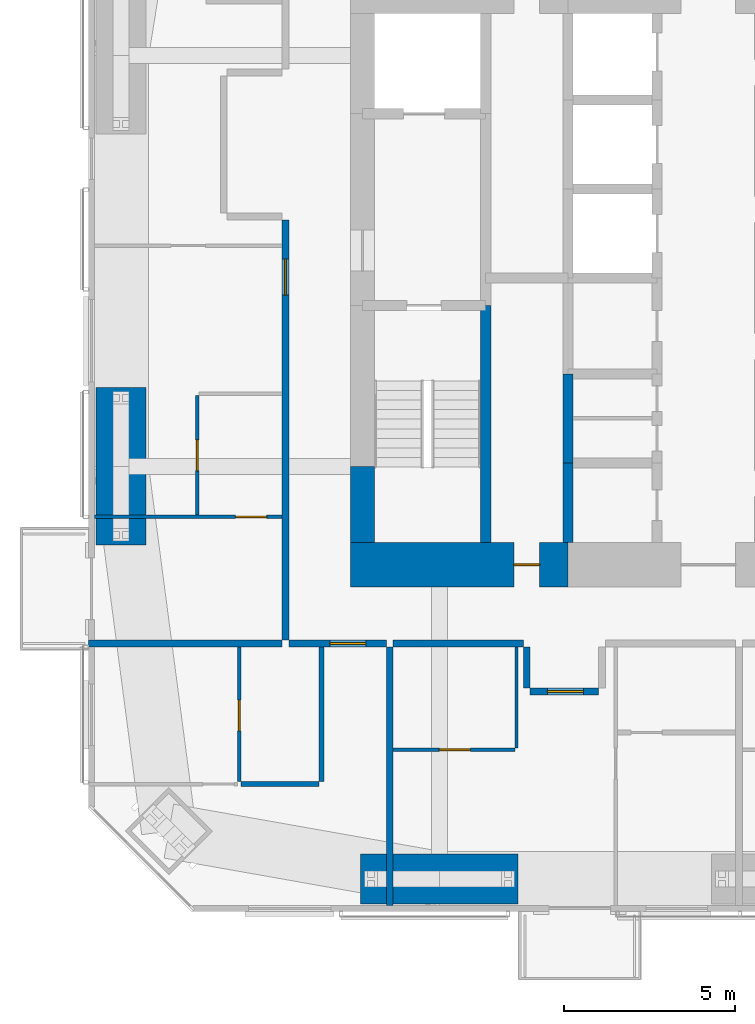
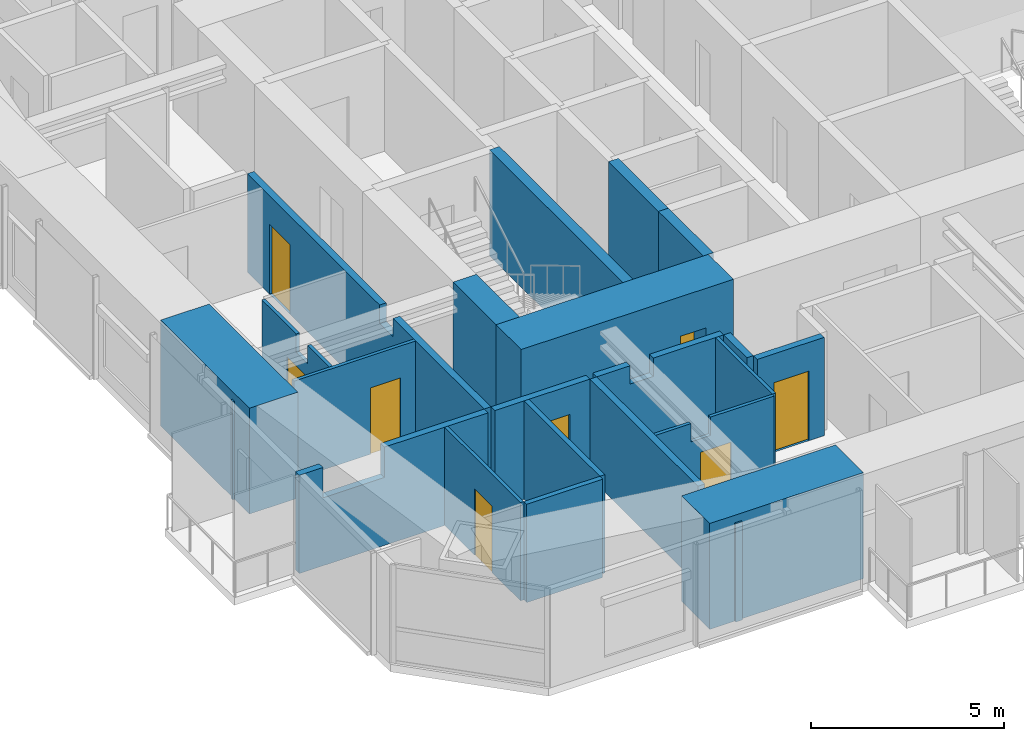
# One storey, part 15 of 23: 21 walls, 8 doors, 8 openings.
"""IFC4 building model written with IfcOpenShell, lengths in metres."""

from ifc_helpers import new_model, si_unit, direction, frame, frame_2d, origin, place, context, subcontext, project, spatial, polyline, rectangle, outline, extrude, material, layer, layer_set, constituent, constituent_set, type_object, element, fill, save


model = new_model("IFC4")

# Units and contexts
model_context = context("Model", 3, precision=1e-05, world=origin(), true_north=direction((0.0, 1.0)))
body_context = subcontext(model_context, "Body", "Model", "MODEL_VIEW")
ifc_project = project(units=[si_unit("LENGTHUNIT", "METRE"), si_unit("AREAUNIT", "SQUARE_METRE"), si_unit("VOLUMEUNIT", "CUBIC_METRE"), si_unit("PLANEANGLEUNIT", "RADIAN"), si_unit("MASSUNIT", "GRAM", prefix="KILO")], contexts=[model_context])

# Site, building, storey
site_placement = place(None, origin())
site = spatial("IfcSite", under=ifc_project, at=site_placement, CompositionType="ELEMENT")
building_placement = place(site_placement, origin())
building = spatial("IfcBuilding", under=site, at=building_placement, Name="Jalousie Tower", CompositionType="ELEMENT")
storey_placement = place(building_placement, frame((0.0, 0.0, 157.699951171875)))
storey = spatial("IfcBuildingStorey", under=building, at=storey_placement, Name="L42", CompositionType="ELEMENT", Elevation=157.699951171875)

# Walls
ifc_material_1 = material(Name="Concrete block ASTM C90", Category="concrete")
ifc_constituent_1 = constituent(ifc_material_1, Name="Body")
ifc_material_2 = material(Name="Render")
ifc_constituent_2 = constituent(ifc_material_2, Name="Finish")
ifc_constituent_set_1 = constituent_set(constituents=[ifc_constituent_1, ifc_constituent_2])
wall_type_1 = type_object("IfcWallType", Name="BATHROOM WALL 150", PredefinedType="PLUMBINGWALL", material=ifc_constituent_set_1)
wall_1_placement = place(storey_placement, frame((18.72509765625, 3.72119140625, 0.0), z_axis=(0.0, 0.0, 1.0), x_axis=(-1.0, 0.0, 0.0)))
element("IfcWall", 1, at=wall_1_placement, inside=storey, type_object=wall_type_1, Name="Bathroom Wall 150 L42", PredefinedType="PLUMBINGWALL", context=body_context, shape_type="SweptSolid", body=[
    extrude(rectangle(XDim=2.275146484375, YDim=0.14990234375, at=frame_2d((1.1376953125, 0.0))), origin(), (0.0, 0.0, 1.0), 3.110107421875),
])
wall_2_placement = place(storey_placement, frame((18.800048828125, 3.79638671875, 0.0), z_axis=(0.0, 0.0, 1.0), x_axis=(0.0, 1.0, 0.0)))
element("IfcWall", 2, at=wall_2_placement, inside=storey, type_object=wall_type_1, Name="Bathroom Wall 150 L42", PredefinedType="PLUMBINGWALL", context=body_context, shape_type="SweptSolid", body=[
    extrude(rectangle(XDim=3.9287109375, YDim=0.14990234375, at=frame_2d((1.96435546875, 0.0))), origin(), (0.0, 0.0, 1.0), 3.110107421875),
])

# Wall, opening, door
ifc_material_3 = material(Name="Concrete f'c 120 MPa", Category="concrete")
ifc_layer_1 = layer(ifc_material_3, 1.300048828125)
ifc_layer_set_1 = layer_set([ifc_layer_1], Name="Concrete f'c 120 MPa")
wall_type_2 = type_object("IfcWallType", Name="CORE WALL 1300", PredefinedType="SHEAR", material=ifc_layer_set_1)
wall_3_placement = place(storey_placement, frame((19.64990234375, 10.125, 0.0), z_axis=(0.0, 0.0, 1.0), x_axis=(1.0, 0.0, 0.0)))
wall_3 = element("IfcWall", 3, at=wall_3_placement, inside=storey, type_object=wall_type_2, Name="Core wall SA L42", PredefinedType="SHEAR", context=body_context, shape_type="SweptSolid", body=[
    extrude(rectangle(XDim=6.35009765625, YDim=1.300048828125, at=frame_2d((3.175048828125, 0.0))), origin(), (0.0, 0.0, 1.0), 3.35009765625),
])
opening_1_placement = place(wall_3_placement, frame((4.77490234375, 0.0, 0.0)))
opening_1 = element("IfcOpeningElement", 4, at=opening_1_placement, cuts=wall_3, Name="Opening D16", PredefinedType="OPENING", context=body_context, shape_type="SweptSolid", body=[
    extrude(rectangle(XDim=0.75, YDim=2.10009765625, at=frame_2d((0.375, 1.050048828125))), frame((0.0, 0.659912109375, 0.0), z_axis=(0.0, -1.0, 0.0), x_axis=(1.0, 0.0, 0.0)), (0.0, 0.0, 1.0), 1.320068359375),
])
ifc_material_4 = material(Name="Steel fire door", Category="steel")
door_type_1 = type_object("IfcDoorType", Name="RISER DOOR 750", OperationType="SINGLE_SWING_LEFT", PredefinedType="DOOR", material=ifc_material_4)
door_1_placement = place(opening_1_placement, origin())
door_1 = element("IfcDoor", 5, at=door_1_placement, inside=storey, type_object=door_type_1, Name="South riser door", OperationType="SINGLE_SWING_LEFT", OverallHeight=2.10009765625, OverallWidth=0.75, PredefinedType="DOOR", context=body_context, shape_type="SweptSolid", body=[
    extrude(rectangle(XDim=0.75, YDim=2.10009765625, at=frame_2d((0.375, 1.050048828125))), frame((0.0, 0.02490234375, 0.0), z_axis=(0.0, -1.0, 0.0), x_axis=(1.0, 0.0, 0.0)), (0.0, 0.0, 1.0), 0.050048828125),
])
fill(opening_1, door_1)

# Walls
ifc_material_5 = material(Name="Concrete f'c 120 MPa", Category="concrete")
ifc_layer_2 = layer(ifc_material_5, 0.300048828125)
ifc_layer_set_2 = layer_set([ifc_layer_2], Name="Concrete f'c 120 MPa")
wall_type_3 = type_object("IfcWallType", Name="CORE WALL 300", PredefinedType="SHEAR", material=ifc_layer_set_2)
wall_4_placement = place(storey_placement, frame((23.60009765625, 10.77490234375, 0.0), z_axis=(0.0, 0.0, 1.0), x_axis=(0.0, 1.0, 0.0)))
element("IfcWall", 6, at=wall_4_placement, inside=storey, type_object=wall_type_3, Name="Core wall X23.6A L42", PredefinedType="SHEAR", context=body_context, shape_type="SweptSolid", body=[
    extrude(rectangle(XDim=6.925048828125, YDim=0.300048828125, at=frame_2d((3.46240234375, 0.0))), origin(), (0.0, 0.0, 1.0), 3.35009765625),
])
wall_5_placement = place(storey_placement, frame((26.0, 10.77490234375, 0.0), z_axis=(0.0, 0.0, 1.0), x_axis=(0.0, 1.0, 0.0)))
element("IfcWall", 7, at=wall_5_placement, inside=storey, type_object=wall_type_3, Name="Core wall X26A L42", PredefinedType="SHEAR", context=body_context, shape_type="SweptSolid", body=[
    extrude(rectangle(XDim=2.3251953125, YDim=0.300048828125, at=frame_2d((1.16259765625, 0.0))), origin(), (0.0, 0.0, 1.0), 3.35009765625),
])
wall_6_placement = place(storey_placement, frame((26.0, 13.10009765625, 0.0), z_axis=(0.0, 0.0, 1.0), x_axis=(0.0, 1.0, 0.0)))
element("IfcWall", 8, at=wall_6_placement, inside=storey, type_object=wall_type_3, Name="Core wall X26B L42", PredefinedType="SHEAR", context=body_context, shape_type="SweptSolid", body=[
    extrude(rectangle(XDim=2.599853515625, YDim=0.300048828125, at=frame_2d((1.2998046875, 0.0))), origin(), (0.0, 0.0, 1.0), 3.35009765625),
])
ifc_material_6 = material(Name="Concrete f'c 120 MPa", Category="concrete")
ifc_layer_3 = layer(ifc_material_6, 0.699951171875)
ifc_layer_set_3 = layer_set([ifc_layer_3], Name="Concrete f'c 120 MPa")
wall_type_4 = type_object("IfcWallType", Name="CORE WALL 700", PredefinedType="SHEAR", material=ifc_layer_set_3)
wall_7_placement = place(storey_placement, frame((20.0, 13.0, 0.0), z_axis=(0.0, 0.0, 1.0), x_axis=(0.0, -1.0, 0.0)))
element("IfcWall", 9, at=wall_7_placement, inside=storey, type_object=wall_type_4, Name="Core wall WD L42", PredefinedType="SHEAR", context=body_context, shape_type="SweptSolid", body=[
    extrude(rectangle(XDim=2.22509765625, YDim=0.699951171875, at=frame_2d((1.112548828125, 0.0))), origin(), (0.0, 0.0, 1.0), 3.35009765625),
])

# Wall, opening, door
ifc_material_7 = material(Name="Concrete block ASTM C90", Category="concrete")
ifc_constituent_3 = constituent(ifc_material_7, Name="Body")
ifc_material_8 = material(Name="Render")
ifc_constituent_4 = constituent(ifc_material_8, Name="Finish")
ifc_constituent_set_2 = constituent_set(constituents=[ifc_constituent_3, ifc_constituent_4])
wall_type_5 = type_object("IfcWallType", Name="CORRIDOR WALL 200", PredefinedType="PARTITIONING", material=ifc_constituent_set_2)
wall_8_placement = place(storey_placement, frame((17.85009765625, 7.824951171875, 0.0), z_axis=(0.0, 0.0, 1.0), x_axis=(1.0, 0.0, 0.0)))
wall_8 = element("IfcWall", 10, at=wall_8_placement, inside=storey, type_object=wall_type_5, Name="Corridor Wall 200 L42", PredefinedType="PARTITIONING", context=body_context, shape_type="SweptSolid", body=[
    extrude(rectangle(XDim=2.849853515625, YDim=0.199951171875, at=frame_2d((1.4248046875, 0.0))), origin(), (0.0, 0.0, 1.0), 3.110107421875),
])
opening_2_placement = place(wall_8_placement, frame((1.199951171875, 0.0, 0.0)))
opening_2 = element("IfcOpeningElement", 11, at=opening_2_placement, cuts=wall_8, Name="Opening D1", PredefinedType="OPENING", context=body_context, shape_type="SweptSolid", body=[
    extrude(rectangle(XDim=1.050048828125, YDim=2.199951171875, at=frame_2d((0.52490234375, 1.10009765625))), frame((0.0, 0.10986328125, 0.0), z_axis=(0.0, -1.0, 0.0), x_axis=(1.0, 0.0, 0.0)), (0.0, 0.0, 1.0), 0.219970703125),
])
ifc_material_9 = material(Name="Timber fire door", Category="wood")
door_type_2 = type_object("IfcDoorType", Name="APARTMENT ENTRANCE DOOR 1050", OperationType="SINGLE_SWING_LEFT", PredefinedType="DOOR", material=ifc_material_9)
door_2_placement = place(opening_2_placement, frame((1.050048828125, 0.0, 0.0), z_axis=(0.0, 0.0, 1.0), x_axis=(-1.0, 0.0, 0.0)))
door_2 = element("IfcDoor", 12, at=door_2_placement, inside=storey, type_object=door_type_2, Name="Apartment 4201 entrance", OperationType="SINGLE_SWING_RIGHT", OverallHeight=2.199951171875, OverallWidth=1.050048828125, PredefinedType="DOOR", context=body_context, shape_type="SweptSolid", body=[
    extrude(rectangle(XDim=1.050048828125, YDim=2.199951171875, at=frame_2d((0.52490234375, 1.10009765625))), frame((0.0, 0.02490234375, 0.0), z_axis=(0.0, -1.0, 0.0), x_axis=(1.0, 0.0, 0.0)), (0.0, 0.0, 1.0), 0.050048828125),
])
fill(opening_2, door_2)

# Wall
wall_9_placement = place(storey_placement, frame((20.89990234375, 7.824951171875, 0.0), z_axis=(0.0, 0.0, 1.0), x_axis=(1.0, 0.0, 0.0)))
element("IfcWall", 13, at=wall_9_placement, inside=storey, type_object=wall_type_5, Name="Corridor Wall 200 L42", PredefinedType="PARTITIONING", context=body_context, shape_type="SweptSolid", body=[
    extrude(outline(polyline([(0.0, 0.0), (3.800048828125, 0.0), (3.800048828125, 3.110107421875), (1.6962890625, 3.110107421875), (1.6962890625, 2.531005859375), (1.00390625, 2.531005859375), (1.00390625, 3.110107421875), (0.0, 3.110107421875), (0.0, 0.0)])), frame((0.0, 0.10009765625, 0.0), z_axis=(0.0, -1.0, 0.0), x_axis=(1.0, 0.0, 0.0)), (0.0, 0.0, 1.0), 0.199951171875),
])

# Wall, opening, door
wall_10_placement = place(storey_placement, frame((17.75, 7.925048828125, 0.0), z_axis=(0.0, 0.0, 1.0), x_axis=(0.0, 1.0, 0.0)))
wall_10 = element("IfcWall", 14, at=wall_10_placement, inside=storey, type_object=wall_type_5, Name="Corridor Wall 200 L42", PredefinedType="PARTITIONING", context=body_context, shape_type="SweptSolid", body=[
    extrude(outline(polyline([(0.0, 0.0), (12.27490234375, 0.0), (12.27490234375, 3.110107421875), (5.421142578125, 3.110107421875), (5.421142578125, 2.531005859375), (4.728759765625, 2.531005859375), (4.728759765625, 3.110107421875), (0.0, 3.110107421875), (0.0, 0.0)])), frame((0.0, 0.10009765625, 0.0), z_axis=(0.0, -1.0, 0.0), x_axis=(1.0, 0.0, 0.0)), (0.0, 0.0, 1.0), 0.199951171875),
])
opening_3_placement = place(wall_10_placement, frame((10.074951171875, 0.0, 0.0)))
opening_3 = element("IfcOpeningElement", 15, at=opening_3_placement, cuts=wall_10, Name="Opening D1", PredefinedType="OPENING", context=body_context, shape_type="SweptSolid", body=[
    extrude(rectangle(XDim=1.050048828125, YDim=2.199951171875, at=frame_2d((0.52490234375, 1.10009765625))), frame((0.0, 0.10986328125, 0.0), z_axis=(0.0, -1.0, 0.0), x_axis=(1.0, 0.0, 0.0)), (0.0, 0.0, 1.0), 0.219970703125),
])
door_3_placement = place(opening_3_placement, origin())
door_3 = element("IfcDoor", 16, at=door_3_placement, inside=storey, type_object=door_type_2, Name="Apartment 4209 entrance", OperationType="SINGLE_SWING_RIGHT", OverallHeight=2.199951171875, OverallWidth=1.050048828125, PredefinedType="DOOR", context=body_context, shape_type="SweptSolid", body=[
    extrude(rectangle(XDim=1.050048828125, YDim=2.199951171875, at=frame_2d((0.52490234375, 1.10009765625))), frame((0.0, 0.02490234375, 0.0), z_axis=(0.0, -1.0, 0.0), x_axis=(1.0, 0.0, 0.0)), (0.0, 0.0, 1.0), 0.050048828125),
])
fill(opening_3, door_3)

wall_11_placement = place(storey_placement, frame((24.89990234375, 6.425048828125, 0.0), z_axis=(0.0, 0.0, 1.0), x_axis=(1.0, 0.0, 0.0)))
wall_11 = element("IfcWall", 17, at=wall_11_placement, inside=storey, type_object=wall_type_5, Name="Corridor Wall 200 L42", PredefinedType="PARTITIONING", context=body_context, shape_type="SweptSolid", body=[
    extrude(rectangle(XDim=2.0, YDim=0.199951171875, at=frame_2d((1.0, 0.0))), origin(), (0.0, 0.0, 1.0), 3.110107421875),
])
opening_4_placement = place(wall_11_placement, frame((0.5, 0.0, 0.0)))
opening_4 = element("IfcOpeningElement", 18, at=opening_4_placement, cuts=wall_11, Name="Opening D1", PredefinedType="OPENING", context=body_context, shape_type="SweptSolid", body=[
    extrude(rectangle(XDim=1.050048828125, YDim=2.199951171875, at=frame_2d((0.52490234375, 1.10009765625))), frame((0.0, 0.10986328125, 0.0), z_axis=(0.0, -1.0, 0.0), x_axis=(1.0, 0.0, 0.0)), (0.0, 0.0, 1.0), 0.219970703125),
])
door_4_placement = place(opening_4_placement, frame((1.050048828125, 0.0, 0.0), z_axis=(0.0, 0.0, 1.0), x_axis=(-1.0, 0.0, 0.0)))
door_4 = element("IfcDoor", 19, at=door_4_placement, inside=storey, type_object=door_type_2, Name="Apartment 4202 entrance", OperationType="SINGLE_SWING_RIGHT", OverallHeight=2.199951171875, OverallWidth=1.050048828125, PredefinedType="DOOR", context=body_context, shape_type="SweptSolid", body=[
    extrude(rectangle(XDim=1.050048828125, YDim=2.199951171875, at=frame_2d((0.52490234375, 1.10009765625))), frame((0.0, 0.02490234375, 0.0), z_axis=(0.0, -1.0, 0.0), x_axis=(1.0, 0.0, 0.0)), (0.0, 0.0, 1.0), 0.050048828125),
])
fill(opening_4, door_4)

# Wall
wall_12_placement = place(storey_placement, frame((24.800048828125, 7.72509765625, 0.0), z_axis=(0.0, 0.0, 1.0), x_axis=(0.0, -1.0, 0.0)))
element("IfcWall", 20, at=wall_12_placement, inside=storey, type_object=wall_type_5, Name="Corridor Wall 200 L42", PredefinedType="PARTITIONING", context=body_context, shape_type="SweptSolid", body=[
    extrude(rectangle(XDim=1.2001953125, YDim=0.199951171875, at=frame_2d((0.60009765625, 0.0))), origin(), (0.0, 0.0, 1.0), 3.110107421875),
])

# Wall, opening, door
ifc_material_10 = material(Name="Gypsum board", Category="gypsum")
ifc_constituent_5 = constituent(ifc_material_10, Name="Body")
ifc_material_11 = material(Name="Light-gauge steel studs ASTM A653 SS Grade 33", Category="steel")
ifc_constituent_6 = constituent(ifc_material_11, Name="Framing")
ifc_constituent_set_3 = constituent_set(constituents=[ifc_constituent_5, ifc_constituent_6])
wall_type_6 = type_object("IfcWallType", Name="PARTITION 100", PredefinedType="PARTITIONING", material=ifc_constituent_set_3)
wall_13_placement = place(storey_placement, frame((16.39990234375, 3.79638671875, 0.0), z_axis=(0.0, 0.0, 1.0), x_axis=(0.0, 1.0, 0.0)))
wall_13 = element("IfcWall", 21, at=wall_13_placement, inside=storey, type_object=wall_type_6, Name="Partition 100 L42", PredefinedType="PARTITIONING", context=body_context, shape_type="SweptSolid", body=[
    extrude(rectangle(XDim=3.9287109375, YDim=0.10009765625, at=frame_2d((1.96435546875, 0.0))), origin(), (0.0, 0.0, 1.0), 3.110107421875),
])
opening_5_placement = place(wall_13_placement, frame((1.476806640625, 0.0, 0.0)))
opening_5 = element("IfcOpeningElement", 22, at=opening_5_placement, cuts=wall_13, Name="Opening D3", PredefinedType="OPENING", context=body_context, shape_type="SweptSolid", body=[
    extrude(rectangle(XDim=0.89990234375, YDim=2.10009765625, at=frame_2d((0.449951171875, 1.050048828125))), frame((0.0, 0.06005859375, 0.0), z_axis=(0.0, -1.0, 0.0), x_axis=(1.0, 0.0, 0.0)), (0.0, 0.0, 1.0), 0.1201171875),
])
ifc_material_12 = material(Name="Timber door", Category="wood")
door_type_3 = type_object("IfcDoorType", Name="BATHROOM DOOR 900", OperationType="SINGLE_SWING_LEFT", PredefinedType="DOOR", material=ifc_material_12)
door_5_placement = place(opening_5_placement, frame((0.89990234375, 0.0, 0.0), z_axis=(0.0, 0.0, 1.0), x_axis=(-1.0, 0.0, 0.0)))
door_5 = element("IfcDoor", 23, at=door_5_placement, inside=storey, type_object=door_type_3, Name="Apartment 4201 bedroom 1 bathroom door", OperationType="SINGLE_SWING_RIGHT", OverallHeight=2.10009765625, OverallWidth=0.89990234375, PredefinedType="DOOR", context=body_context, shape_type="SweptSolid", body=[
    extrude(rectangle(XDim=0.89990234375, YDim=2.10009765625, at=frame_2d((0.449951171875, 1.050048828125))), frame((0.0, 0.02490234375, 0.0), z_axis=(0.0, -1.0, 0.0), x_axis=(1.0, 0.0, 0.0)), (0.0, 0.0, 1.0), 0.050048828125),
])
fill(opening_5, door_5)

wall_14_placement = place(storey_placement, frame((20.89990234375, 4.72509765625, 0.0), z_axis=(0.0, 0.0, 1.0), x_axis=(1.0, 0.0, 0.0)))
wall_14 = element("IfcWall", 24, at=wall_14_placement, inside=storey, type_object=wall_type_6, Name="Partition 100 L42", PredefinedType="PARTITIONING", context=body_context, shape_type="SweptSolid", body=[
    extrude(outline(polyline([(0.0, 0.0), (3.550048828125, 0.0), (3.550048828125, 3.110107421875), (1.646240234375, 3.110107421875), (1.646240234375, 2.531005859375), (1.0537109375, 2.531005859375), (1.0537109375, 3.110107421875), (0.0, 3.110107421875), (0.0, 0.0)])), frame((0.0, 0.050048828125, 0.0), z_axis=(0.0, -1.0, 0.0), x_axis=(1.0, 0.0, 0.0)), (0.0, 0.0, 1.0), 0.10009765625),
])
opening_6_placement = place(wall_14_placement, frame((1.35009765625, 0.0, 0.0)))
opening_6 = element("IfcOpeningElement", 25, at=opening_6_placement, cuts=wall_14, Name="Opening D7", PredefinedType="OPENING", context=body_context, shape_type="SweptSolid", body=[
    extrude(rectangle(XDim=0.89990234375, YDim=2.10009765625, at=frame_2d((0.449951171875, 1.050048828125))), frame((0.0, 0.06005859375, 0.0), z_axis=(0.0, -1.0, 0.0), x_axis=(1.0, 0.0, 0.0)), (0.0, 0.0, 1.0), 0.1201171875),
])
ifc_material_13 = material(Name="Timber door", Category="wood")
door_type_4 = type_object("IfcDoorType", Name="INTERNAL DOOR 900", OperationType="SINGLE_SWING_LEFT", PredefinedType="DOOR", material=ifc_material_13)
door_6_placement = place(opening_6_placement, frame((0.89990234375, 0.0, 0.0), z_axis=(0.0, 0.0, 1.0), x_axis=(-1.0, 0.0, 0.0)))
door_6 = element("IfcDoor", 26, at=door_6_placement, inside=storey, type_object=door_type_4, Name="Apartment 4202 kitchen door", OperationType="SINGLE_SWING_RIGHT", OverallHeight=2.10009765625, OverallWidth=0.89990234375, PredefinedType="DOOR", context=body_context, shape_type="SweptSolid", body=[
    extrude(rectangle(XDim=0.89990234375, YDim=2.10009765625, at=frame_2d((0.449951171875, 1.050048828125))), frame((0.0, 0.02490234375, 0.0), z_axis=(0.0, -1.0, 0.0), x_axis=(1.0, 0.0, 0.0)), (0.0, 0.0, 1.0), 0.050048828125),
])
fill(opening_6, door_6)

# Wall
wall_15_placement = place(storey_placement, frame((24.5, 4.77490234375, 0.0), z_axis=(0.0, 0.0, 1.0), x_axis=(0.0, 1.0, 0.0)))
element("IfcWall", 27, at=wall_15_placement, inside=storey, type_object=wall_type_6, Name="Partition 100 L42", PredefinedType="PARTITIONING", context=body_context, shape_type="SweptSolid", body=[
    extrude(rectangle(XDim=2.9501953125, YDim=0.10009765625, at=frame_2d((1.47509765625, 0.0))), origin(), (0.0, 0.0, 1.0), 3.110107421875),
])

# Wall, opening, door
wall_16_placement = place(storey_placement, frame((12.175048828125, 11.52490234375, 0.0), z_axis=(0.0, 0.0, 1.0), x_axis=(1.0, 0.0, 0.0)))
wall_16 = element("IfcWall", 28, at=wall_16_placement, inside=storey, type_object=wall_type_6, Name="Partition 100 L42", PredefinedType="PARTITIONING", context=body_context, shape_type="SweptSolid", body=[
    extrude(outline(polyline([(0.101318359375, 3.110107421875), (0.0, 3.110107421875), (0.0, 0.0), (0.52880859375, 0.0), (0.52880859375, 0.269287109375), (1.021240234375, 0.269287109375), (1.021240234375, 0.0), (5.47509765625, 0.0), (5.47509765625, 3.110107421875), (1.8359375, 3.110107421875), (1.8359375, 2.150146484375), (1.021240234375, 2.150146484375), (1.021240234375, 1.880859375), (0.52880859375, 1.880859375), (0.52880859375, 2.150146484375), (0.101318359375, 2.150146484375), (0.101318359375, 3.110107421875)])), frame((0.0, 0.050048828125, 0.0), z_axis=(0.0, -1.0, 0.0), x_axis=(1.0, 0.0, 0.0)), (0.0, 0.0, 1.0), 0.10009765625),
])
opening_7_placement = place(wall_16_placement, frame((4.125, 0.0, 0.0)))
opening_7 = element("IfcOpeningElement", 29, at=opening_7_placement, cuts=wall_16, Name="Opening D2", PredefinedType="OPENING", context=body_context, shape_type="SweptSolid", body=[
    extrude(rectangle(XDim=0.89990234375, YDim=2.10009765625, at=frame_2d((0.449951171875, 1.050048828125))), frame((0.0, 0.06005859375, 0.0), z_axis=(0.0, -1.0, 0.0), x_axis=(1.0, 0.0, 0.0)), (0.0, 0.0, 1.0), 0.1201171875),
])
ifc_material_14 = material(Name="Timber door", Category="wood")
door_type_5 = type_object("IfcDoorType", Name="BEDROOM DOOR 900", OperationType="SINGLE_SWING_LEFT", PredefinedType="DOOR", material=ifc_material_14)
door_7_placement = place(opening_7_placement, frame((0.89990234375, 0.0, 0.0), z_axis=(0.0, 0.0, 1.0), x_axis=(-1.0, 0.0, 0.0)))
door_7 = element("IfcDoor", 30, at=door_7_placement, inside=storey, type_object=door_type_5, Name="Apartment 4209 bedroom 1 door", OperationType="SINGLE_SWING_LEFT", OverallHeight=2.10009765625, OverallWidth=0.89990234375, PredefinedType="DOOR", context=body_context, shape_type="SweptSolid", body=[
    extrude(rectangle(XDim=0.89990234375, YDim=2.10009765625, at=frame_2d((0.449951171875, 1.050048828125))), frame((0.0, 0.02490234375, 0.0), z_axis=(0.0, -1.0, 0.0), x_axis=(1.0, 0.0, 0.0)), (0.0, 0.0, 1.0), 0.050048828125),
])
fill(opening_7, door_7)

wall_17_placement = place(storey_placement, frame((15.175048828125, 11.574951171875, 0.0), z_axis=(0.0, 0.0, 1.0), x_axis=(0.0, 1.0, 0.0)))
wall_17 = element("IfcWall", 31, at=wall_17_placement, inside=storey, type_object=wall_type_6, Name="Partition 100 L42", PredefinedType="PARTITIONING", context=body_context, shape_type="SweptSolid", body=[
    extrude(outline(polyline([(0.0, 0.0), (3.5, 0.0), (3.5, 3.110107421875), (1.72119140625, 3.110107421875), (1.72119140625, 2.531005859375), (1.12890625, 2.531005859375), (1.12890625, 3.110107421875), (0.0, 3.110107421875), (0.0, 0.0)])), frame((0.0, 0.050048828125, 0.0), z_axis=(0.0, -1.0, 0.0), x_axis=(1.0, 0.0, 0.0)), (0.0, 0.0, 1.0), 0.10009765625),
])
opening_8_placement = place(wall_17_placement, frame((1.300048828125, 0.0, 0.0)))
opening_8 = element("IfcOpeningElement", 32, at=opening_8_placement, cuts=wall_17, Name="Opening D7", PredefinedType="OPENING", context=body_context, shape_type="SweptSolid", body=[
    extrude(rectangle(XDim=0.89990234375, YDim=2.10009765625, at=frame_2d((0.449951171875, 1.050048828125))), frame((0.0, 0.06005859375, 0.0), z_axis=(0.0, -1.0, 0.0), x_axis=(1.0, 0.0, 0.0)), (0.0, 0.0, 1.0), 0.1201171875),
])
door_8_placement = place(opening_8_placement, frame((0.89990234375, 0.0, 0.0), z_axis=(0.0, 0.0, 1.0), x_axis=(-1.0, 0.0, 0.0)))
door_8 = element("IfcDoor", 33, at=door_8_placement, inside=storey, type_object=door_type_4, Name="Apartment 4209 kitchen door", OperationType="SINGLE_SWING_RIGHT", OverallHeight=2.10009765625, OverallWidth=0.89990234375, PredefinedType="DOOR", context=body_context, shape_type="SweptSolid", body=[
    extrude(rectangle(XDim=0.89990234375, YDim=2.10009765625, at=frame_2d((0.449951171875, 1.050048828125))), frame((0.0, 0.02490234375, 0.0), z_axis=(0.0, -1.0, 0.0), x_axis=(1.0, 0.0, 0.0)), (0.0, 0.0, 1.0), 0.050048828125),
])
fill(opening_8, door_8)

# Walls
ifc_material_15 = material(Name="Concrete block ASTM C90", Category="concrete")
ifc_constituent_7 = constituent(ifc_material_15, Name="Body")
ifc_material_16 = material(Name="Render")
ifc_constituent_8 = constituent(ifc_material_16, Name="Finish")
ifc_constituent_set_4 = constituent_set(constituents=[ifc_constituent_7, ifc_constituent_8])
wall_type_7 = type_object("IfcWallType", Name="PARTY WALL 200", PredefinedType="PARTITIONING", material=ifc_constituent_set_4)
wall_18_placement = place(storey_placement, frame((20.800048828125, 0.175048828125, 0.0), z_axis=(0.0, 0.0, 1.0), x_axis=(0.0, 1.0, 0.0)))
element("IfcWall", 34, at=wall_18_placement, inside=storey, type_object=wall_type_7, Name="Party Wall 200 L42", PredefinedType="PARTITIONING", context=body_context, shape_type="SweptSolid", body=[
    extrude(outline(polyline([(0.107421875, 3.110107421875), (0.0, 3.110107421875), (0.0, 0.0), (0.52880859375, 0.0), (0.52880859375, 0.33203125), (1.021240234375, 0.33203125), (1.021240234375, 0.0), (7.550048828125, 0.0), (7.550048828125, 3.110107421875), (1.955810546875, 3.110107421875), (1.955810546875, 2.150146484375), (1.021240234375, 2.150146484375), (1.021240234375, 1.81787109375), (0.52880859375, 1.81787109375), (0.52880859375, 2.150146484375), (0.107421875, 2.150146484375), (0.107421875, 3.110107421875)])), frame((0.0, 0.10009765625, 0.0), z_axis=(0.0, -1.0, 0.0), x_axis=(1.0, 0.0, 0.0)), (0.0, 0.0, 1.0), 0.199951171875),
])
wall_19_placement = place(storey_placement, frame((12.0, 7.824951171875, 0.0), z_axis=(0.0, 0.0, 1.0), x_axis=(1.0, 0.0, 0.0)))
element("IfcWall", 35, at=wall_19_placement, inside=storey, type_object=wall_type_7, Name="Party Wall 200 L42", PredefinedType="PARTITIONING", context=body_context, shape_type="SweptSolid", body=[
    extrude(outline(polyline([(0.0, 0.0), (5.64990234375, 0.0), (5.64990234375, 3.110107421875), (2.54736328125, 3.110107421875), (2.54736328125, 2.150146484375), (0.711669921875, 2.150146484375), (0.711669921875, 3.110107421875), (0.0, 3.110107421875), (0.0, 0.0)])), frame((0.0, 0.10009765625, 0.0), z_axis=(0.0, -1.0, 0.0), x_axis=(1.0, 0.0, 0.0)), (0.0, 0.0, 1.0), 0.199951171875),
])
ifc_material_17 = material(Name="Concrete f'c 120 MPa", Category="concrete")
ifc_layer_4 = layer(ifc_material_17, 1.449951171875)
ifc_layer_set_4 = layer_set([ifc_layer_4], Name="Concrete f'c 120 MPa")
wall_type_8 = type_object("IfcWallType", Name="RC WALL PIER 1450", PredefinedType="SHEAR", material=ifc_layer_set_4)
for number, where, z_axis, x_axis, name in (
    (36, (19.949951171875, 0.949951171875, 0.0), (0.0, 0.0, 1.0), (1.0, 0.0, 0.0), "Wall pier 02 L42"),
    (37, (12.949951171875, 10.699951171875, 0.0), (0.0, 0.0, 1.0), (0.0, 1.0, 0.0), "Wall pier 14 L42"),
):
    element("IfcWall", number, at=place(storey_placement, frame(where, z_axis=z_axis, x_axis=x_axis)), inside=storey, type_object=wall_type_8, Name=name, PredefinedType="SHEAR", context=body_context, shape_type="SweptSolid", body=[
        extrude(rectangle(XDim=4.60009765625, YDim=1.449951171875, at=frame_2d((2.300048828125, 0.0))), origin(), (0.0, 0.0, 1.0), 3.35009765625),
    ])

save(model, "model.ifc")
